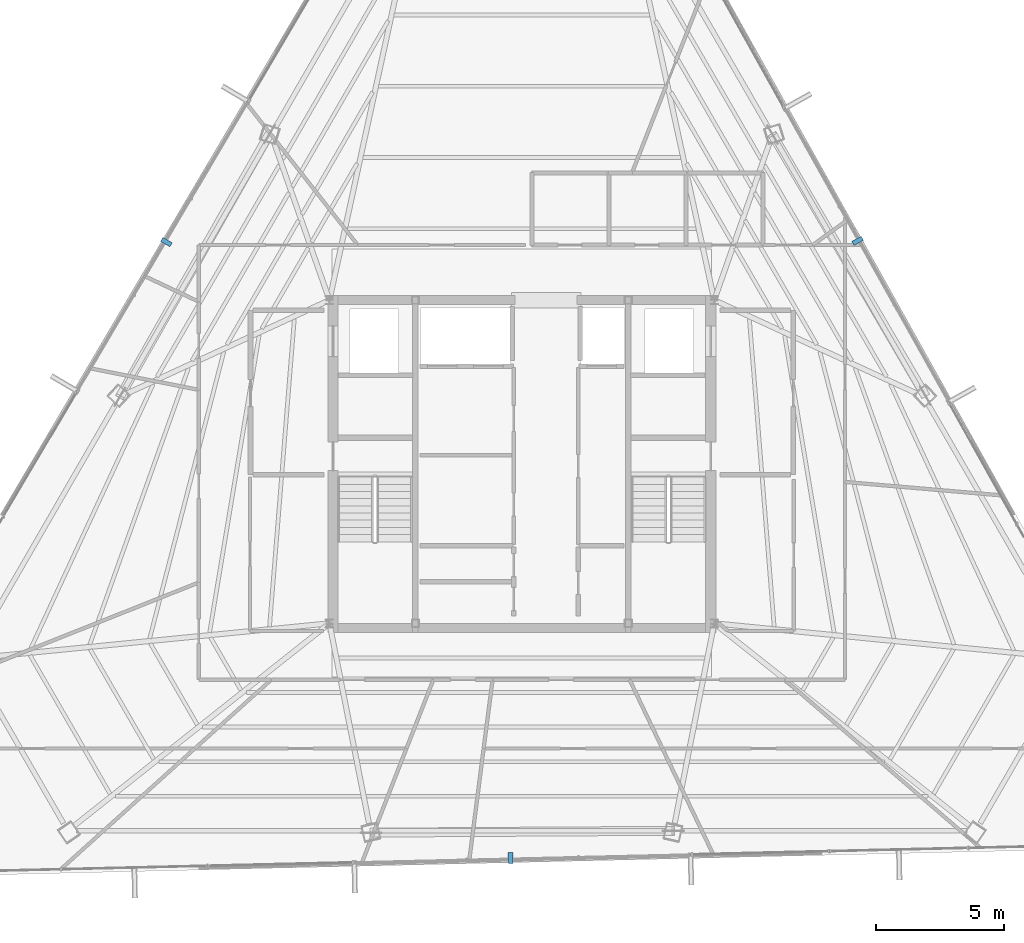
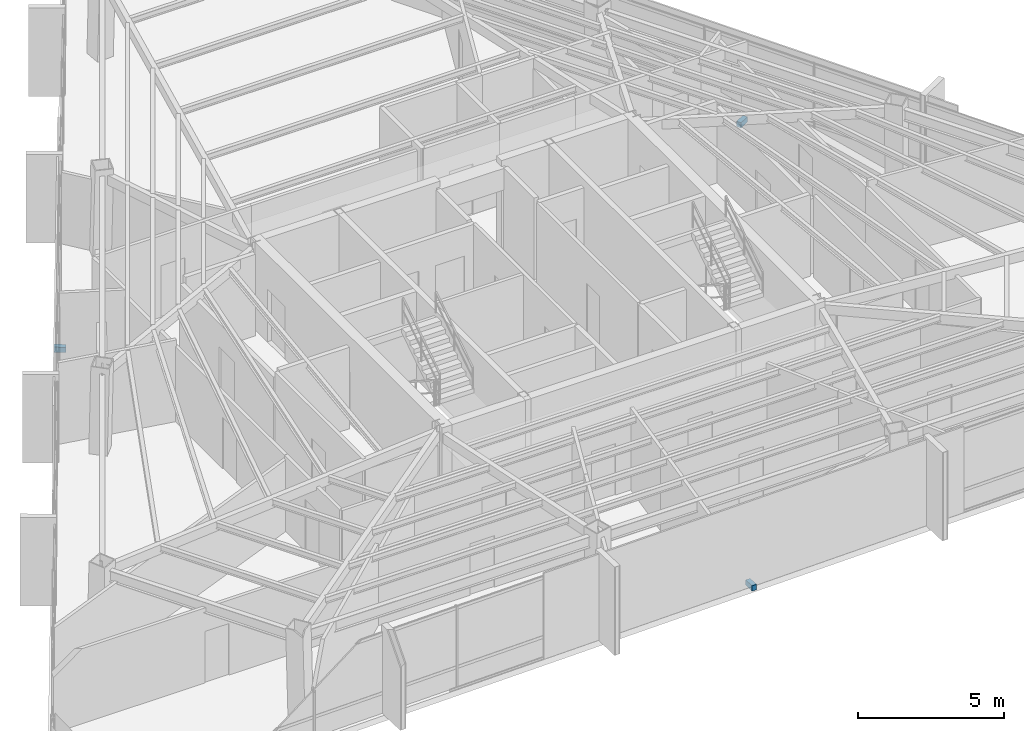
# One storey, part 44 of 46: 3 discrete accessories.
"""IFC4 building model written with IfcOpenShell, lengths in metres."""

from ifc_helpers import new_model, si_unit, direction, frame, origin, origin_2d, place, context, subcontext, project, spatial, rectangle, extrude, source, transform, mapped, material, type_object, type_shapes, element, save


model = new_model("IFC4")

# Units and contexts
model_context = context("Model", 3, precision=1e-05, world=origin(), true_north=direction((0.0, 1.0)))
body_context = subcontext(model_context, "Body", "Model", "MODEL_VIEW")
ifc_project = project(units=[si_unit("LENGTHUNIT", "METRE"), si_unit("AREAUNIT", "SQUARE_METRE"), si_unit("VOLUMEUNIT", "CUBIC_METRE"), si_unit("PLANEANGLEUNIT", "RADIAN"), si_unit("MASSUNIT", "GRAM", prefix="KILO")], contexts=[model_context])

# Site, building, storey
site_placement = place(None, origin())
site = spatial("IfcSite", under=ifc_project, at=site_placement, CompositionType="ELEMENT")
building_placement = place(site_placement, origin())
building = spatial("IfcBuilding", under=site, at=building_placement, Name="Caelisora Broadcast Tower", CompositionType="ELEMENT")
storey_placement = place(building_placement, frame((0.0, 0.0, 251.75)))
storey = spatial("IfcBuildingStorey", under=building, at=storey_placement, Name="L66", CompositionType="ELEMENT", Elevation=251.75)

# Discrete accessories
ifc_material = material(Name="Steel Grade 350 (AS/NZS 3679.1)", Category="steel")
discrete_accessory_type = type_object("IfcDiscreteAccessoryType", Name="BRK-1", PredefinedType="BRACKET", material=ifc_material)
shared_shape = source(origin(), body_context, "Body", "SweptSolid", [
    extrude(rectangle(XDim=0.179931640625, YDim=0.419921875, at=origin_2d()), origin(), (0.0, 0.0, 1.0), 0.219970703125),
])
type_shapes(discrete_accessory_type, [shared_shape])
for number, where, z_axis, x_axis, name in (
    (1, (24.14208984375, 32.264892578125, -0.16015625), (0.0, 0.0, 1.0), (-0.508440380454, -0.861097195167, 0.0), "L66 solar screen outrigger bracket #1"),
    (2, (37.560302734375, 8.25048828125, -0.16015625), (0.0, 0.0, 1.0), (0.999722430218, 0.023559764834, 0.0), "L66 solar screen outrigger bracket #2"),
    (3, (51.08935546875, 32.309814453125, -0.16015625), (0.0, 0.0, 1.0), (-0.488012005351, 0.872836916401, 0.0), "L66 solar screen outrigger bracket #3"),
):
    element("IfcDiscreteAccessory", number, at=place(storey_placement, frame(where, z_axis=z_axis, x_axis=x_axis)), inside=storey, type_object=discrete_accessory_type, Name=name, PredefinedType="BRACKET", context=body_context, shape_type="MappedRepresentation", body=[
        mapped(shared_shape, transform((0.0, 0.0, 0.0), scale=1.0)),
    ])

save(model, "model.ifc")
